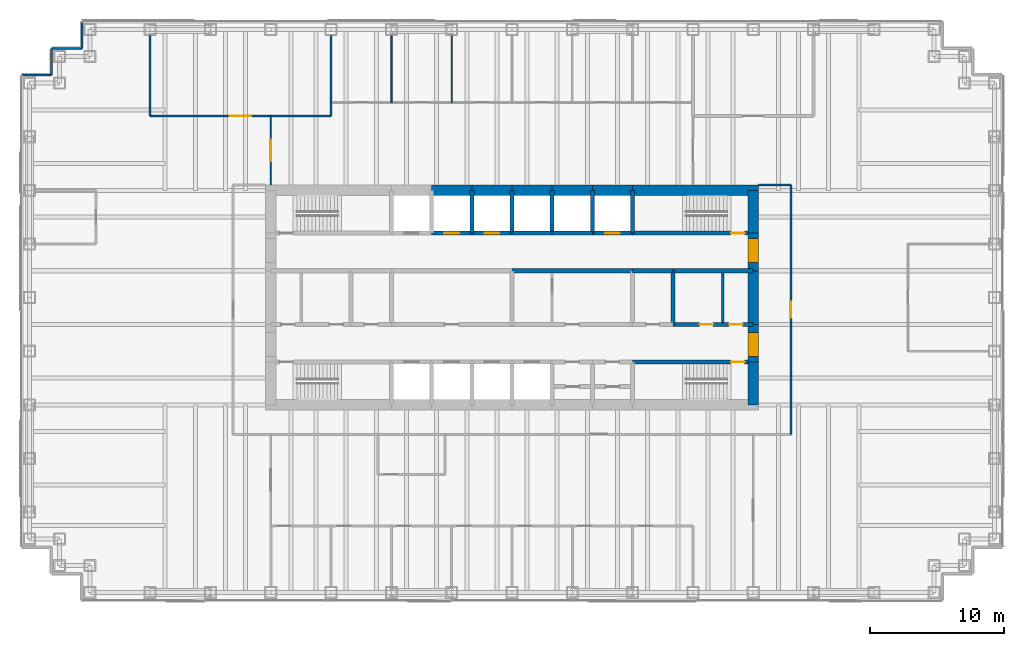
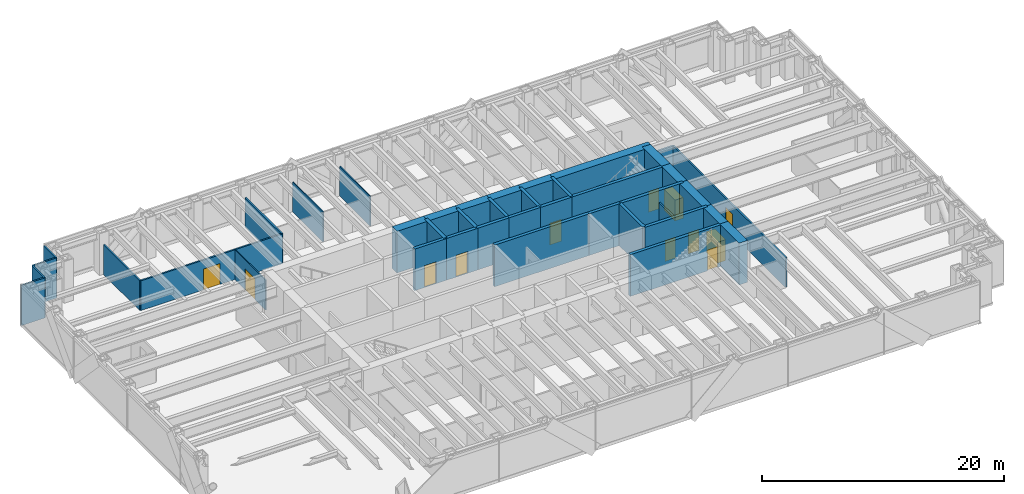
# One storey, part 15 of 17: 41 walls, 12 doors, 12 openings.
"""IFC4 building model written with IfcOpenShell, lengths in metres."""

from ifc_helpers import new_model, si_unit, direction, frame, frame_2d, origin, place, context, subcontext, project, spatial, rectangle, extrude, material, layer, layer_set, type_object, element, fill, save


model = new_model("IFC4")

# Units and contexts
model_context = context("Model", 3, precision=1e-05, world=origin(), true_north=direction((0.0, 1.0)))
body_context = subcontext(model_context, "Body", "Model", "MODEL_VIEW")
ifc_project = project(units=[si_unit("LENGTHUNIT", "METRE"), si_unit("AREAUNIT", "SQUARE_METRE"), si_unit("VOLUMEUNIT", "CUBIC_METRE"), si_unit("PLANEANGLEUNIT", "RADIAN"), si_unit("MASSUNIT", "GRAM", prefix="KILO")], contexts=[model_context])

# Site, building, storey
site_placement = place(None, origin())
site = spatial("IfcSite", under=ifc_project, at=site_placement, CompositionType="ELEMENT")
building_placement = place(site_placement, origin())
building = spatial("IfcBuilding", under=site, at=building_placement, Name="Rheinbord Bourse Tower", CompositionType="ELEMENT")
storey_placement = place(building_placement, frame((0.0, 0.0, 190.0)))
storey = spatial("IfcBuildingStorey", under=building, at=storey_placement, Name="L42", CompositionType="ELEMENT", Elevation=190.0)

# Wall, opening, door
ifc_material_1 = material(Name="Concrete C50/60", Category="concrete")
ifc_layer_1 = layer(ifc_material_1, 0.300048828125)
ifc_layer_set_1 = layer_set([ifc_layer_1], Name="CORE INNER WALL 300")
wall_type_1 = type_object("IfcWallType", Name="CORE INNER WALL 300", PredefinedType="SOLIDWALL", material=ifc_layer_set_1)
wall_1_placement = place(storey_placement, frame((45.0, 19.199951171875, 0.0), z_axis=(0.0, 0.0, 1.0), x_axis=(1.0, 0.0, 0.0)))
wall_1 = element("IfcWall", 1, at=wall_1_placement, inside=storey, type_object=wall_type_1, Name="Core wall A8 L42", PredefinedType="SOLIDWALL", context=body_context, shape_type="SweptSolid", body=[
    extrude(rectangle(XDim=9.0, YDim=0.300048828125, at=frame_2d((4.5, 0.0))), origin(), (0.0, 0.0, 1.0), 4.199951171875),
])
opening_1_placement = place(wall_1_placement, frame((7.35009765625, 0.0, 0.0)))
opening_1 = element("IfcOpeningElement", 2, at=opening_1_placement, cuts=wall_1, Name="Opening 4230", PredefinedType="OPENING", context=body_context, shape_type="SweptSolid", body=[
    extrude(rectangle(XDim=1.0, YDim=2.10009765625, at=frame_2d((0.5, 1.050048828125))), frame((0.0, 0.159912109375, 0.0), z_axis=(0.0, -1.0, 0.0), x_axis=(1.0, 0.0, 0.0)), (0.0, 0.0, 1.0), 0.320068359375),
])
ifc_material_2 = material(Name="Steel door", Category="steel")
door_type_1 = type_object("IfcDoorType", Name="DOOR 1000 EI30", OperationType="SINGLE_SWING_LEFT", PredefinedType="DOOR", material=ifc_material_2)
door_1_placement = place(opening_1_placement, origin())
door_1 = element("IfcDoor", 3, at=door_1_placement, inside=storey, type_object=door_type_1, Name="Stair door ST3 L42", OperationType="SINGLE_SWING_RIGHT", OverallHeight=2.10009765625, OverallWidth=1.0, PredefinedType="DOOR", context=body_context, shape_type="SweptSolid", body=[
    extrude(rectangle(XDim=1.0, YDim=2.10009765625, at=frame_2d((0.5, 1.050048828125))), frame((0.0, 0.02490234375, 0.0), z_axis=(0.0, -1.0, 0.0), x_axis=(1.0, 0.0, 0.0)), (0.0, 0.0, 1.0), 0.050048828125),
])
fill(opening_1, door_1)

wall_2_placement = place(storey_placement, frame((30.0, 28.800048828125, 0.0), z_axis=(0.0, 0.0, 1.0), x_axis=(1.0, 0.0, 0.0)))
wall_2 = element("IfcWall", 4, at=wall_2_placement, inside=storey, type_object=wall_type_1, Name="Core wall B3 L42", PredefinedType="SOLIDWALL", context=body_context, shape_type="SweptSolid", body=[
    extrude(rectangle(XDim=3.0, YDim=0.300048828125, at=frame_2d((1.5, 0.0))), origin(), (0.0, 0.0, 1.0), 4.199951171875),
])
opening_2_placement = place(wall_2_placement, frame((0.949951171875, 0.0, 0.0)))
opening_2 = element("IfcOpeningElement", 5, at=opening_2_placement, cuts=wall_2, Name="Opening PC4", PredefinedType="OPENING", context=body_context, shape_type="SweptSolid", body=[
    extrude(rectangle(XDim=1.10009765625, YDim=2.199951171875, at=frame_2d((0.550048828125, 1.10009765625))), frame((0.0, 0.159912109375, 0.0), z_axis=(0.0, -1.0, 0.0), x_axis=(1.0, 0.0, 0.0)), (0.0, 0.0, 1.0), 0.320068359375),
])
ifc_material_3 = material(Name="Steel landing door", Category="steel")
door_type_2 = type_object("IfcDoorType", Name="LIFT LANDING DOOR 1100", OperationType="DOUBLE_DOOR_SLIDING", PredefinedType="USERDEFINED", material=ifc_material_3)
door_2_placement = place(opening_2_placement, origin())
door_2 = element("IfcDoor", 6, at=door_2_placement, inside=storey, type_object=door_type_2, Name="Lift landing door PC4 L42", ObjectType="LIFT LANDING DOOR", OperationType="DOUBLE_DOOR_SLIDING", OverallHeight=2.199951171875, OverallWidth=1.10009765625, PredefinedType="USERDEFINED", context=body_context, shape_type="SweptSolid", body=[
    extrude(rectangle(XDim=1.10009765625, YDim=2.199951171875, at=frame_2d((0.550048828125, 1.10009765625))), frame((0.0, 0.02490234375, 0.0), z_axis=(0.0, -1.0, 0.0), x_axis=(1.0, 0.0, 0.0)), (0.0, 0.0, 1.0), 0.050048828125),
])
fill(opening_2, door_2)

wall_3_placement = place(storey_placement, frame((33.0, 28.800048828125, 0.0), z_axis=(0.0, 0.0, 1.0), x_axis=(1.0, 0.0, 0.0)))
wall_3 = element("IfcWall", 7, at=wall_3_placement, inside=storey, type_object=wall_type_1, Name="Core wall B4 L42", PredefinedType="SOLIDWALL", context=body_context, shape_type="SweptSolid", body=[
    extrude(rectangle(XDim=3.0, YDim=0.300048828125, at=frame_2d((1.5, 0.0))), origin(), (0.0, 0.0, 1.0), 4.199951171875),
])
opening_3_placement = place(wall_3_placement, frame((0.949951171875, 0.0, 0.0)))
opening_3 = element("IfcOpeningElement", 8, at=opening_3_placement, cuts=wall_3, Name="Opening PC5", PredefinedType="OPENING", context=body_context, shape_type="SweptSolid", body=[
    extrude(rectangle(XDim=1.10009765625, YDim=2.199951171875, at=frame_2d((0.550048828125, 1.10009765625))), frame((0.0, 0.159912109375, 0.0), z_axis=(0.0, -1.0, 0.0), x_axis=(1.0, 0.0, 0.0)), (0.0, 0.0, 1.0), 0.320068359375),
])
door_3_placement = place(opening_3_placement, origin())
door_3 = element("IfcDoor", 9, at=door_3_placement, inside=storey, type_object=door_type_2, Name="Lift landing door PC5 L42", ObjectType="LIFT LANDING DOOR", OperationType="DOUBLE_DOOR_SLIDING", OverallHeight=2.199951171875, OverallWidth=1.10009765625, PredefinedType="USERDEFINED", context=body_context, shape_type="SweptSolid", body=[
    extrude(rectangle(XDim=1.10009765625, YDim=2.199951171875, at=frame_2d((0.550048828125, 1.10009765625))), frame((0.0, 0.02490234375, 0.0), z_axis=(0.0, -1.0, 0.0), x_axis=(1.0, 0.0, 0.0)), (0.0, 0.0, 1.0), 0.050048828125),
])
fill(opening_3, door_3)

# Walls
for number, where, z_axis, x_axis, name in (
    (10, (36.0, 28.800048828125, 0.0), (0.0, 0.0, 1.0), (1.0, 0.0, 0.0), "Core wall B5 L42"),
    (11, (39.0, 28.800048828125, 0.0), (0.0, 0.0, 1.0), (1.0, 0.0, 0.0), "Core wall B6 L42"),
):
    element("IfcWall", number, at=place(storey_placement, frame(where, z_axis=z_axis, x_axis=x_axis)), inside=storey, type_object=wall_type_1, Name=name, PredefinedType="SOLIDWALL", context=body_context, shape_type="SweptSolid", body=[
        extrude(rectangle(XDim=3.0, YDim=0.300048828125, at=frame_2d((1.5, 0.0))), origin(), (0.0, 0.0, 1.0), 4.199951171875),
    ])

# Wall, opening, door
wall_4_placement = place(storey_placement, frame((42.0, 28.800048828125, 0.0), z_axis=(0.0, 0.0, 1.0), x_axis=(1.0, 0.0, 0.0)))
wall_4 = element("IfcWall", 12, at=wall_4_placement, inside=storey, type_object=wall_type_1, Name="Core wall B7 L42", PredefinedType="SOLIDWALL", context=body_context, shape_type="SweptSolid", body=[
    extrude(rectangle(XDim=3.0, YDim=0.300048828125, at=frame_2d((1.5, 0.0))), origin(), (0.0, 0.0, 1.0), 4.199951171875),
])
opening_4_placement = place(wall_4_placement, frame((0.949951171875, 0.0, 0.0)))
opening_4 = element("IfcOpeningElement", 13, at=opening_4_placement, cuts=wall_4, Name="Opening FL2", PredefinedType="OPENING", context=body_context, shape_type="SweptSolid", body=[
    extrude(rectangle(XDim=1.10009765625, YDim=2.199951171875, at=frame_2d((0.550048828125, 1.10009765625))), frame((0.0, 0.159912109375, 0.0), z_axis=(0.0, -1.0, 0.0), x_axis=(1.0, 0.0, 0.0)), (0.0, 0.0, 1.0), 0.320068359375),
])
door_4_placement = place(opening_4_placement, origin())
door_4 = element("IfcDoor", 14, at=door_4_placement, inside=storey, type_object=door_type_2, Name="Lift landing door FL2 L42", ObjectType="LIFT LANDING DOOR", OperationType="DOUBLE_DOOR_SLIDING", OverallHeight=2.199951171875, OverallWidth=1.10009765625, PredefinedType="USERDEFINED", context=body_context, shape_type="SweptSolid", body=[
    extrude(rectangle(XDim=1.10009765625, YDim=2.199951171875, at=frame_2d((0.550048828125, 1.10009765625))), frame((0.0, 0.02490234375, 0.0), z_axis=(0.0, -1.0, 0.0), x_axis=(1.0, 0.0, 0.0)), (0.0, 0.0, 1.0), 0.050048828125),
])
fill(opening_4, door_4)

wall_5_placement = place(storey_placement, frame((45.0, 28.800048828125, 0.0), z_axis=(0.0, 0.0, 1.0), x_axis=(1.0, 0.0, 0.0)))
wall_5 = element("IfcWall", 15, at=wall_5_placement, inside=storey, type_object=wall_type_1, Name="Core wall B8 L42", PredefinedType="SOLIDWALL", context=body_context, shape_type="SweptSolid", body=[
    extrude(rectangle(XDim=9.0, YDim=0.300048828125, at=frame_2d((4.5, 0.0))), origin(), (0.0, 0.0, 1.0), 4.199951171875),
])
opening_5_placement = place(wall_5_placement, frame((7.35009765625, 0.0, 0.0)))
opening_5 = element("IfcOpeningElement", 16, at=opening_5_placement, cuts=wall_5, Name="Opening 4240", PredefinedType="OPENING", context=body_context, shape_type="SweptSolid", body=[
    extrude(rectangle(XDim=1.0, YDim=2.10009765625, at=frame_2d((0.5, 1.050048828125))), frame((0.0, 0.159912109375, 0.0), z_axis=(0.0, -1.0, 0.0), x_axis=(1.0, 0.0, 0.0)), (0.0, 0.0, 1.0), 0.320068359375),
])
door_5_placement = place(opening_5_placement, origin())
door_5 = element("IfcDoor", 17, at=door_5_placement, inside=storey, type_object=door_type_1, Name="Stair door ST4 L42", OperationType="SINGLE_SWING_RIGHT", OverallHeight=2.10009765625, OverallWidth=1.0, PredefinedType="DOOR", context=body_context, shape_type="SweptSolid", body=[
    extrude(rectangle(XDim=1.0, YDim=2.10009765625, at=frame_2d((0.5, 1.050048828125))), frame((0.0, 0.02490234375, 0.0), z_axis=(0.0, -1.0, 0.0), x_axis=(1.0, 0.0, 0.0)), (0.0, 0.0, 1.0), 0.050048828125),
])
fill(opening_5, door_5)

# Wall, openings, doors
wall_6_placement = place(storey_placement, frame((48.0, 22.0, 0.0), z_axis=(0.0, 0.0, 1.0), x_axis=(1.0, 0.0, 0.0)))
wall_6 = element("IfcWall", 18, at=wall_6_placement, inside=storey, type_object=wall_type_1, Name="Core wall C6 L42", PredefinedType="SOLIDWALL", context=body_context, shape_type="SweptSolid", body=[
    extrude(rectangle(XDim=6.0, YDim=0.300048828125, at=frame_2d((3.0, 0.0))), origin(), (0.0, 0.0, 1.0), 4.199951171875),
])
opening_6_placement = place(wall_6_placement, frame((2.0, 0.0, 0.0)))
opening_6 = element("IfcOpeningElement", 19, at=opening_6_placement, cuts=wall_6, Name="Opening 42R6", PredefinedType="OPENING", context=body_context, shape_type="SweptSolid", body=[
    extrude(rectangle(XDim=1.0, YDim=2.10009765625, at=frame_2d((0.5, 1.050048828125))), frame((0.0, 0.159912109375, 0.0), z_axis=(0.0, -1.0, 0.0), x_axis=(1.0, 0.0, 0.0)), (0.0, 0.0, 1.0), 0.320068359375),
])
opening_7_placement = place(wall_6_placement, frame((4.199951171875, 0.0, 0.0)))
opening_7 = element("IfcOpeningElement", 20, at=opening_7_placement, cuts=wall_6, Name="Opening 42R10", PredefinedType="OPENING", context=body_context, shape_type="SweptSolid", body=[
    extrude(rectangle(XDim=1.0, YDim=2.10009765625, at=frame_2d((0.5, 1.050048828125))), frame((0.0, 0.159912109375, 0.0), z_axis=(0.0, -1.0, 0.0), x_axis=(1.0, 0.0, 0.0)), (0.0, 0.0, 1.0), 0.320068359375),
])
door_6_placement = place(opening_7_placement, origin())
door_6 = element("IfcDoor", 21, at=door_6_placement, inside=storey, type_object=door_type_1, Name="Baby change door L42", OperationType="SINGLE_SWING_RIGHT", OverallHeight=2.10009765625, OverallWidth=1.0, PredefinedType="DOOR", context=body_context, shape_type="SweptSolid", body=[
    extrude(rectangle(XDim=1.0, YDim=2.10009765625, at=frame_2d((0.5, 1.050048828125))), frame((0.0, 0.02490234375, 0.0), z_axis=(0.0, -1.0, 0.0), x_axis=(1.0, 0.0, 0.0)), (0.0, 0.0, 1.0), 0.050048828125),
])
fill(opening_7, door_6)
ifc_material_4 = material(Name="Timber door", Category="wood")
door_type_3 = type_object("IfcDoorType", Name="DOOR 1000 WC", OperationType="SINGLE_SWING_LEFT", PredefinedType="DOOR", material=ifc_material_4)
door_7_placement = place(opening_6_placement, origin())
door_7 = element("IfcDoor", 22, at=door_7_placement, inside=storey, type_object=door_type_3, Name="WC women door L42", OperationType="SINGLE_SWING_LEFT", OverallHeight=2.10009765625, OverallWidth=1.0, PredefinedType="DOOR", context=body_context, shape_type="SweptSolid", body=[
    extrude(rectangle(XDim=1.0, YDim=2.10009765625, at=frame_2d((0.5, 1.050048828125))), frame((0.0, 0.02490234375, 0.0), z_axis=(0.0, -1.0, 0.0), x_axis=(1.0, 0.0, 0.0)), (0.0, 0.0, 1.0), 0.050048828125),
])
fill(opening_6, door_7)

# Walls
wall_7_placement = place(storey_placement, frame((36.0, 26.0, 0.0), z_axis=(0.0, 0.0, 1.0), x_axis=(1.0, 0.0, 0.0)))
element("IfcWall", 23, at=wall_7_placement, inside=storey, type_object=wall_type_1, Name="Core wall D4 L42", PredefinedType="SOLIDWALL", context=body_context, shape_type="SweptSolid", body=[
    extrude(rectangle(XDim=9.0, YDim=0.300048828125, at=frame_2d((4.5, 0.0))), origin(), (0.0, 0.0, 1.0), 4.199951171875),
])
wall_8_placement = place(storey_placement, frame((45.0, 26.0, 0.0), z_axis=(0.0, 0.0, 1.0), x_axis=(1.0, 0.0, 0.0)))
element("IfcWall", 24, at=wall_8_placement, inside=storey, type_object=wall_type_1, Name="Core wall D5 L42", PredefinedType="SOLIDWALL", context=body_context, shape_type="SweptSolid", body=[
    extrude(rectangle(XDim=3.0, YDim=0.300048828125, at=frame_2d((1.5, 0.0))), origin(), (0.0, 0.0, 1.0), 4.199951171875),
])
wall_9_placement = place(storey_placement, frame((48.0, 26.0, 0.0), z_axis=(0.0, 0.0, 1.0), x_axis=(1.0, 0.0, 0.0)))
element("IfcWall", 25, at=wall_9_placement, inside=storey, type_object=wall_type_1, Name="Core wall D6 L42", PredefinedType="SOLIDWALL", context=body_context, shape_type="SweptSolid", body=[
    extrude(rectangle(XDim=6.0, YDim=0.300048828125, at=frame_2d((3.0, 0.0))), origin(), (0.0, 0.0, 1.0), 4.199951171875),
])
for number, where, z_axis, x_axis, name in (
    (26, (33.0, 28.800048828125, 0.0), (0.0, 0.0, 1.0), (0.0, 1.0, 0.0), "Core wall NX33 L42"),
    (27, (36.0, 28.800048828125, 0.0), (0.0, 0.0, 1.0), (0.0, 1.0, 0.0), "Core wall NX36 L42"),
    (28, (39.0, 28.800048828125, 0.0), (0.0, 0.0, 1.0), (0.0, 1.0, 0.0), "Core wall NX39 L42"),
    (29, (42.0, 28.800048828125, 0.0), (0.0, 0.0, 1.0), (0.0, 1.0, 0.0), "Core wall NX42 L42"),
    (30, (45.0, 28.800048828125, 0.0), (0.0, 0.0, 1.0), (0.0, 1.0, 0.0), "Core wall NX45 L42"),
):
    element("IfcWall", number, at=place(storey_placement, frame(where, z_axis=z_axis, x_axis=x_axis)), inside=storey, type_object=wall_type_1, Name=name, PredefinedType="SOLIDWALL", context=body_context, shape_type="SweptSolid", body=[
        extrude(rectangle(XDim=3.199951171875, YDim=0.300048828125, at=frame_2d((1.60009765625, 0.0))), origin(), (0.0, 0.0, 1.0), 4.199951171875),
    ])
wall_10_placement = place(storey_placement, frame((48.0, 22.0, 0.0), z_axis=(0.0, 0.0, 1.0), x_axis=(0.0, 1.0, 0.0)))
element("IfcWall", 31, at=wall_10_placement, inside=storey, type_object=wall_type_1, Name="Core wall MX48 L42", PredefinedType="SOLIDWALL", context=body_context, shape_type="SweptSolid", body=[
    extrude(rectangle(XDim=4.0, YDim=0.300048828125, at=frame_2d((2.0, 0.0))), origin(), (0.0, 0.0, 1.0), 4.199951171875),
])
ifc_material_5 = material(Name="Gypsum board fire partition", Category="gypsum board")
ifc_layer_2 = layer(ifc_material_5, 0.14990234375)
ifc_layer_set_2 = layer_set([ifc_layer_2], Name="CORE PARTITION 150 EI30")
wall_type_2 = type_object("IfcWallType", Name="CORE PARTITION 150 EI30", PredefinedType="PARTITIONING", material=ifc_layer_set_2)
wall_11_placement = place(storey_placement, frame((51.72509765625, 22.14990234375, 0.0), z_axis=(0.0, 0.0, 1.0), x_axis=(0.0, 1.0, 0.0)))
element("IfcWall", 32, at=wall_11_placement, inside=storey, type_object=wall_type_2, Name="Core partition L42-3", PredefinedType="PARTITIONING", context=body_context, shape_type="SweptSolid", body=[
    extrude(rectangle(XDim=3.7001953125, YDim=0.14990234375, at=frame_2d((1.85009765625, 0.0))), origin(), (0.0, 0.0, 1.0), 3.0),
])
ifc_material_6 = material(Name="Concrete C50/60", Category="concrete")
ifc_layer_3 = layer(ifc_material_6, 0.800048828125)
ifc_layer_set_3 = layer_set([ifc_layer_3], Name="CORE WALL 800")
wall_type_3 = type_object("IfcWallType", Name="CORE WALL 800", PredefinedType="SHEAR", material=ifc_layer_set_3)
wall_12_placement = place(storey_placement, frame((54.39990234375, 32.0, 0.0), z_axis=(0.0, 0.0, 1.0), x_axis=(-1.0, 0.0, 0.0)))
element("IfcWall", 33, at=wall_12_placement, inside=storey, type_object=wall_type_3, Name="Core wall N1 L42", PredefinedType="SHEAR", context=body_context, shape_type="SweptSolid", body=[
    extrude(rectangle(XDim=9.39990234375, YDim=0.800048828125, at=frame_2d((4.699951171875, 0.0))), origin(), (0.0, 0.0, 1.0), 4.199951171875),
])
for number, where, z_axis, x_axis, name in (
    (34, (45.0, 32.0, 0.0), (0.0, 0.0, 1.0), (-1.0, 0.0, 0.0), "Core wall N2 L42"),
    (35, (42.0, 32.0, 0.0), (0.0, 0.0, 1.0), (-1.0, 0.0, 0.0), "Core wall N3 L42"),
    (36, (39.0, 32.0, 0.0), (0.0, 0.0, 1.0), (-1.0, 0.0, 0.0), "Core wall N4 L42"),
    (37, (36.0, 32.0, 0.0), (0.0, 0.0, 1.0), (-1.0, 0.0, 0.0), "Core wall N5 L42"),
    (38, (33.0, 32.0, 0.0), (0.0, 0.0, 1.0), (-1.0, 0.0, 0.0), "Core wall N6 L42"),
):
    element("IfcWall", number, at=place(storey_placement, frame(where, z_axis=z_axis, x_axis=x_axis)), inside=storey, type_object=wall_type_3, Name=name, PredefinedType="SHEAR", context=body_context, shape_type="SweptSolid", body=[
        extrude(rectangle(XDim=3.0, YDim=0.800048828125, at=frame_2d((1.5, 0.0))), origin(), (0.0, 0.0, 1.0), 4.199951171875),
    ])
wall_13_placement = place(storey_placement, frame((54.0, 16.0, 0.0), z_axis=(0.0, 0.0, 1.0), x_axis=(0.0, 1.0, 0.0)))
element("IfcWall", 39, at=wall_13_placement, inside=storey, type_object=wall_type_3, Name="Core wall E1 L42", PredefinedType="SHEAR", context=body_context, shape_type="SweptSolid", body=[
    extrude(rectangle(XDim=3.199951171875, YDim=0.800048828125, at=frame_2d((1.60009765625, 0.0))), origin(), (0.0, 0.0, 1.0), 4.199951171875),
])

# Wall, opening, door
wall_14_placement = place(storey_placement, frame((54.0, 19.199951171875, 0.0), z_axis=(0.0, 0.0, 1.0), x_axis=(0.0, 1.0, 0.0)))
wall_14 = element("IfcWall", 40, at=wall_14_placement, inside=storey, type_object=wall_type_3, Name="Core wall E2 L42", PredefinedType="SHEAR", context=body_context, shape_type="SweptSolid", body=[
    extrude(rectangle(XDim=2.800048828125, YDim=0.800048828125, at=frame_2d((1.39990234375, 0.0))), origin(), (0.0, 0.0, 1.0), 4.199951171875),
])
opening_8_placement = place(wall_14_placement, frame((0.39990234375, 0.0, 0.0)))
opening_8 = element("IfcOpeningElement", 41, at=opening_8_placement, cuts=wall_14, Name="Opening 42L3", PredefinedType="OPENING", context=body_context, shape_type="SweptSolid", body=[
    extrude(rectangle(XDim=1.800048828125, YDim=2.10009765625, at=frame_2d((0.89990234375, 1.050048828125))), frame((0.0, 0.409912109375, 0.0), z_axis=(0.0, -1.0, 0.0), x_axis=(1.0, 0.0, 0.0)), (0.0, 0.0, 1.0), 0.820068359375),
])
ifc_material_7 = material(Name="Steel door", Category="steel")
door_type_4 = type_object("IfcDoorType", Name="DOOR 1800 EI30 DOUBLE", OperationType="DOUBLE_DOOR_DOUBLE_SWING", PredefinedType="DOOR", material=ifc_material_7)
door_8_placement = place(opening_8_placement, origin())
door_8 = element("IfcDoor", 42, at=door_8_placement, inside=storey, type_object=door_type_4, Name="Lobby door 3 L42", OperationType="SINGLE_SWING_LEFT", OverallHeight=2.10009765625, OverallWidth=1.800048828125, PredefinedType="DOOR", context=body_context, shape_type="SweptSolid", body=[
    extrude(rectangle(XDim=1.800048828125, YDim=2.10009765625, at=frame_2d((0.89990234375, 1.050048828125))), frame((0.0, 0.39990234375, 0.0), z_axis=(0.0, -1.0, 0.0), x_axis=(1.0, 0.0, 0.0)), (0.0, 0.0, 1.0), 0.799560546875),
])
fill(opening_8, door_8)

# Wall
wall_15_placement = place(storey_placement, frame((54.0, 22.0, 0.0), z_axis=(0.0, 0.0, 1.0), x_axis=(0.0, 1.0, 0.0)))
element("IfcWall", 43, at=wall_15_placement, inside=storey, type_object=wall_type_3, Name="Core wall E3 L42", PredefinedType="SHEAR", context=body_context, shape_type="SweptSolid", body=[
    extrude(rectangle(XDim=4.0, YDim=0.800048828125, at=frame_2d((2.0, 0.0))), origin(), (0.0, 0.0, 1.0), 4.199951171875),
])

# Wall, opening, door
wall_16_placement = place(storey_placement, frame((54.0, 26.0, 0.0), z_axis=(0.0, 0.0, 1.0), x_axis=(0.0, 1.0, 0.0)))
wall_16 = element("IfcWall", 44, at=wall_16_placement, inside=storey, type_object=wall_type_3, Name="Core wall E4 L42", PredefinedType="SHEAR", context=body_context, shape_type="SweptSolid", body=[
    extrude(rectangle(XDim=2.800048828125, YDim=0.800048828125, at=frame_2d((1.39990234375, 0.0))), origin(), (0.0, 0.0, 1.0), 4.199951171875),
])
opening_9_placement = place(wall_16_placement, frame((0.60009765625, 0.0, 0.0)))
opening_9 = element("IfcOpeningElement", 45, at=opening_9_placement, cuts=wall_16, Name="Opening 42L4", PredefinedType="OPENING", context=body_context, shape_type="SweptSolid", body=[
    extrude(rectangle(XDim=1.800048828125, YDim=2.10009765625, at=frame_2d((0.89990234375, 1.050048828125))), frame((0.0, 0.409912109375, 0.0), z_axis=(0.0, -1.0, 0.0), x_axis=(1.0, 0.0, 0.0)), (0.0, 0.0, 1.0), 0.820068359375),
])
door_9_placement = place(opening_9_placement, origin())
door_9 = element("IfcDoor", 46, at=door_9_placement, inside=storey, type_object=door_type_4, Name="Lobby door 4 L42", OperationType="SINGLE_SWING_LEFT", OverallHeight=2.10009765625, OverallWidth=1.800048828125, PredefinedType="DOOR", context=body_context, shape_type="SweptSolid", body=[
    extrude(rectangle(XDim=1.800048828125, YDim=2.10009765625, at=frame_2d((0.89990234375, 1.050048828125))), frame((0.0, 0.39990234375, 0.0), z_axis=(0.0, -1.0, 0.0), x_axis=(1.0, 0.0, 0.0)), (0.0, 0.0, 1.0), 0.799560546875),
])
fill(opening_9, door_9)

# Walls
wall_17_placement = place(storey_placement, frame((54.0, 28.800048828125, 0.0), z_axis=(0.0, 0.0, 1.0), x_axis=(0.0, 1.0, 0.0)))
element("IfcWall", 47, at=wall_17_placement, inside=storey, type_object=wall_type_3, Name="Core wall E5 L42", PredefinedType="SHEAR", context=body_context, shape_type="SweptSolid", body=[
    extrude(rectangle(XDim=3.199951171875, YDim=0.800048828125, at=frame_2d((1.60009765625, 0.0))), origin(), (0.0, 0.0, 1.0), 4.199951171875),
])
ifc_material_8 = material(Name="Black metal rainscreen panel", Category="aluminium")
ifc_layer_4 = layer(ifc_material_8, 0.14990234375)
ifc_layer_set_4 = layer_set([ifc_layer_4], Name="CORNER PIER CLADDING 150")
wall_type_4 = type_object("IfcWallType", Name="CORNER PIER CLADDING 150", PredefinedType="ELEMENTEDWALL", material=ifc_layer_set_4)
wall_18_placement = place(storey_placement, frame((3.89990234375, 44.60009765625, 0.0), z_axis=(0.0, 0.0, 1.0), x_axis=(0.0, -1.0, 0.0)))
element("IfcWall", 48, at=wall_18_placement, inside=storey, type_object=wall_type_4, Name="Corner pier cladding L42 12", PredefinedType="ELEMENTEDWALL", context=body_context, shape_type="SweptSolid", body=[
    extrude(rectangle(XDim=2.0, YDim=0.14990234375, at=frame_2d((1.0, 0.0))), origin(), (0.0, 0.0, 1.0), 4.0400390625),
])
wall_19_placement = place(storey_placement, frame((3.89990234375, 42.60009765625, 0.0), z_axis=(0.0, 0.0, 1.0), x_axis=(-1.0, 0.0, 0.0)))
element("IfcWall", 49, at=wall_19_placement, inside=storey, type_object=wall_type_4, Name="Corner pier cladding L42 13", PredefinedType="ELEMENTEDWALL", context=body_context, shape_type="SweptSolid", body=[
    extrude(rectangle(XDim=2.25, YDim=0.14990234375, at=frame_2d((1.125, 0.0))), origin(), (0.0, 0.0, 1.0), 4.0400390625),
])
wall_20_placement = place(storey_placement, frame((1.64990234375, 42.60009765625, 0.0), z_axis=(0.0, 0.0, 1.0), x_axis=(0.0, -1.0, 0.0)))
element("IfcWall", 50, at=wall_20_placement, inside=storey, type_object=wall_type_4, Name="Corner pier cladding L42 14", PredefinedType="ELEMENTEDWALL", context=body_context, shape_type="SweptSolid", body=[
    extrude(rectangle(XDim=2.0, YDim=0.14990234375, at=frame_2d((1.0, 0.0))), origin(), (0.0, 0.0, 1.0), 4.0400390625),
])
wall_21_placement = place(storey_placement, frame((1.64990234375, 40.60009765625, 0.0), z_axis=(0.0, 0.0, 1.0), x_axis=(-1.0, 0.0, 0.0)))
element("IfcWall", 51, at=wall_21_placement, inside=storey, type_object=wall_type_4, Name="Corner pier cladding L42 15", PredefinedType="ELEMENTEDWALL", context=body_context, shape_type="SweptSolid", body=[
    extrude(rectangle(XDim=2.25, YDim=0.14990234375, at=frame_2d((1.125, 0.0))), origin(), (0.0, 0.0, 1.0), 4.0400390625),
])
ifc_material_9 = material(Name="Gypsum board corridor partition", Category="gypsum board")
ifc_layer_5 = layer(ifc_material_9, 0.14990234375)
ifc_layer_set_5 = layer_set([ifc_layer_5], Name="CORRIDOR PARTITION 150 EI30")
wall_type_5 = type_object("IfcWallType", Name="CORRIDOR PARTITION 150 EI30", PredefinedType="PARTITIONING", material=ifc_layer_set_5)
wall_22_placement = place(storey_placement, frame((54.39990234375, 32.39990234375, 0.0), z_axis=(0.0, 0.0, 1.0), x_axis=(1.0, 0.0, 0.0)))
element("IfcWall", 52, at=wall_22_placement, inside=storey, type_object=wall_type_5, Name="Partition L42-11", PredefinedType="PARTITIONING", context=body_context, shape_type="SweptSolid", body=[
    extrude(rectangle(XDim=2.400146484375, YDim=0.14990234375, at=frame_2d((1.2001953125, 0.0))), origin(), (0.0, 0.0, 1.0), 3.0),
])

# Wall, opening, door
wall_23_placement = place(storey_placement, frame((56.800048828125, 13.800048828125, 0.0), z_axis=(0.0, 0.0, 1.0), x_axis=(0.0, 1.0, 0.0)))
wall_23 = element("IfcWall", 53, at=wall_23_placement, inside=storey, type_object=wall_type_5, Name="Partition L42-39", PredefinedType="PARTITIONING", context=body_context, shape_type="SweptSolid", body=[
    extrude(rectangle(XDim=18.599853515625, YDim=0.14990234375, at=frame_2d((9.2998046875, 0.0))), origin(), (0.0, 0.0, 1.0), 3.0),
])
opening_10_placement = place(wall_23_placement, frame((8.699951171875, 0.0, 0.0)))
opening_10 = element("IfcOpeningElement", 54, at=opening_10_placement, cuts=wall_23, Name="Opening 42D24", PredefinedType="OPENING", context=body_context, shape_type="SweptSolid", body=[
    extrude(rectangle(XDim=1.199951171875, YDim=2.10009765625, at=frame_2d((0.60009765625, 1.050048828125))), frame((0.0, 0.0849609375, 0.0), z_axis=(0.0, -1.0, 0.0), x_axis=(1.0, 0.0, 0.0)), (0.0, 0.0, 1.0), 0.169921875),
])
ifc_material_10 = material(Name="Timber fire door", Category="wood")
door_type_5 = type_object("IfcDoorType", Name="SUITE ENTRANCE DOOR 1200 EI30", OperationType="SINGLE_SWING_LEFT", PredefinedType="DOOR", material=ifc_material_10)
door_10_placement = place(opening_10_placement, origin())
door_10 = element("IfcDoor", 55, at=door_10_placement, inside=storey, type_object=door_type_5, Name="Suite entrance 2 door L42", OperationType="SINGLE_SWING_LEFT", OverallHeight=2.10009765625, OverallWidth=1.199951171875, PredefinedType="DOOR", context=body_context, shape_type="SweptSolid", body=[
    extrude(rectangle(XDim=1.199951171875, YDim=2.10009765625, at=frame_2d((0.60009765625, 1.050048828125))), frame((0.0, 0.02490234375, 0.0), z_axis=(0.0, -1.0, 0.0), x_axis=(1.0, 0.0, 0.0)), (0.0, 0.0, 1.0), 0.050048828125),
])
fill(opening_10, door_10)

ifc_material_11 = material(Name="Toughened laminated glass partition", Category="glass")
ifc_layer_6 = layer(ifc_material_11, 0.10009765625)
ifc_layer_set_6 = layer_set([ifc_layer_6], Name="GLAZED PARTITION 100")
wall_type_6 = type_object("IfcWallType", Name="GLAZED PARTITION 100", PredefinedType="PARTITIONING", material=ifc_layer_set_6)
wall_24_placement = place(storey_placement, frame((18.0, 32.39990234375, 0.0), z_axis=(0.0, 0.0, 1.0), x_axis=(0.0, 1.0, 0.0)))
wall_24 = element("IfcWall", 56, at=wall_24_placement, inside=storey, type_object=wall_type_6, Name="Partition L42-20", PredefinedType="PARTITIONING", context=body_context, shape_type="SweptSolid", body=[
    extrude(rectangle(XDim=5.150146484375, YDim=0.10009765625, at=frame_2d((2.5751953125, 0.0))), origin(), (0.0, 0.0, 1.0), 3.0),
])
opening_11_placement = place(wall_24_placement, frame((1.77490234375, 0.0, 0.0)))
opening_11 = element("IfcOpeningElement", 57, at=opening_11_placement, cuts=wall_24, Name="Opening 42D20", PredefinedType="OPENING", context=body_context, shape_type="SweptSolid", body=[
    extrude(rectangle(XDim=1.60009765625, YDim=2.10009765625, at=frame_2d((0.800048828125, 1.050048828125))), frame((0.0, 0.06005859375, 0.0), z_axis=(0.0, -1.0, 0.0), x_axis=(1.0, 0.0, 0.0)), (0.0, 0.0, 1.0), 0.1201171875),
])
ifc_material_12 = material(Name="Timber door", Category="wood")
door_type_6 = type_object("IfcDoorType", Name="DOUBLE ROOM DOOR 1600", OperationType="DOUBLE_DOOR_DOUBLE_SWING", PredefinedType="DOOR", material=ifc_material_12)
door_11_placement = place(opening_11_placement, origin())
door_11 = element("IfcDoor", 58, at=door_11_placement, inside=storey, type_object=door_type_6, Name="Open area door L42", OperationType="SINGLE_SWING_LEFT", OverallHeight=2.10009765625, OverallWidth=1.60009765625, PredefinedType="DOOR", context=body_context, shape_type="SweptSolid", body=[
    extrude(rectangle(XDim=1.60009765625, YDim=2.10009765625, at=frame_2d((0.800048828125, 1.050048828125))), frame((0.0, 0.02490234375, 0.0), z_axis=(0.0, -1.0, 0.0), x_axis=(1.0, 0.0, 0.0)), (0.0, 0.0, 1.0), 0.050048828125),
])
fill(opening_11, door_11)

# Walls
for number, where, z_axis, x_axis, name in (
    (59, (27.0, 38.550048828125, 0.0), (0.0, 0.0, 1.0), (0.0, 1.0, 0.0), "Partition L42-25"),
    (60, (31.5, 38.550048828125, 0.0), (0.0, 0.0, 1.0), (0.0, 1.0, 0.0), "Partition L42-28"),
):
    element("IfcWall", number, at=place(storey_placement, frame(where, z_axis=z_axis, x_axis=x_axis)), inside=storey, type_object=wall_type_6, Name=name, PredefinedType="PARTITIONING", context=body_context, shape_type="SweptSolid", body=[
        extrude(rectangle(XDim=5.0, YDim=0.10009765625, at=frame_2d((2.5, 0.0))), origin(), (0.0, 0.0, 1.0), 3.0),
    ])

# Wall, opening, door
ifc_material_13 = material(Name="Gypsum board partition", Category="gypsum board")
ifc_layer_7 = layer(ifc_material_13, 0.14990234375)
ifc_layer_set_7 = layer_set([ifc_layer_7], Name="PARTITION 150")
wall_type_7 = type_object("IfcWallType", Name="PARTITION 150", PredefinedType="PARTITIONING", material=ifc_layer_set_7)
wall_25_placement = place(storey_placement, frame((9.0, 37.550048828125, 0.0), z_axis=(0.0, 0.0, 1.0), x_axis=(1.0, 0.0, 0.0)))
wall_25 = element("IfcWall", 61, at=wall_25_placement, inside=storey, type_object=wall_type_7, Name="Partition L42-12", PredefinedType="PARTITIONING", context=body_context, shape_type="SweptSolid", body=[
    extrude(rectangle(XDim=13.5, YDim=0.14990234375, at=frame_2d((6.75, 0.0))), origin(), (0.0, 0.0, 1.0), 3.0),
])
opening_12_placement = place(wall_25_placement, frame((5.949951171875, 0.0, 0.0)))
opening_12 = element("IfcOpeningElement", 62, at=opening_12_placement, cuts=wall_25, Name="Opening 42D12", PredefinedType="OPENING", context=body_context, shape_type="SweptSolid", body=[
    extrude(rectangle(XDim=1.60009765625, YDim=2.10009765625, at=frame_2d((0.800048828125, 1.050048828125))), frame((0.0, 0.0849609375, 0.0), z_axis=(0.0, -1.0, 0.0), x_axis=(1.0, 0.0, 0.0)), (0.0, 0.0, 1.0), 0.169921875),
])
door_12_placement = place(opening_12_placement, origin())
door_12 = element("IfcDoor", 63, at=door_12_placement, inside=storey, type_object=door_type_6, Name="Client lounge door L42", OperationType="SINGLE_SWING_LEFT", OverallHeight=2.10009765625, OverallWidth=1.60009765625, PredefinedType="DOOR", context=body_context, shape_type="SweptSolid", body=[
    extrude(rectangle(XDim=1.60009765625, YDim=2.10009765625, at=frame_2d((0.800048828125, 1.050048828125))), frame((0.0, 0.02490234375, 0.0), z_axis=(0.0, -1.0, 0.0), x_axis=(1.0, 0.0, 0.0)), (0.0, 0.0, 1.0), 0.050048828125),
])
fill(opening_12, door_12)

# Walls
for number, where, z_axis, x_axis, name in (
    (64, (9.0, 37.550048828125, 0.0), (0.0, 0.0, 1.0), (0.0, 1.0, 0.0), "Partition L42-16"),
    (65, (22.5, 37.550048828125, 0.0), (0.0, 0.0, 1.0), (0.0, 1.0, 0.0), "Partition L42-22"),
):
    element("IfcWall", number, at=place(storey_placement, frame(where, z_axis=z_axis, x_axis=x_axis)), inside=storey, type_object=wall_type_7, Name=name, PredefinedType="PARTITIONING", context=body_context, shape_type="SweptSolid", body=[
        extrude(rectangle(XDim=6.0, YDim=0.14990234375, at=frame_2d((3.0, 0.0))), origin(), (0.0, 0.0, 1.0), 3.0),
    ])

save(model, "model.ifc")
